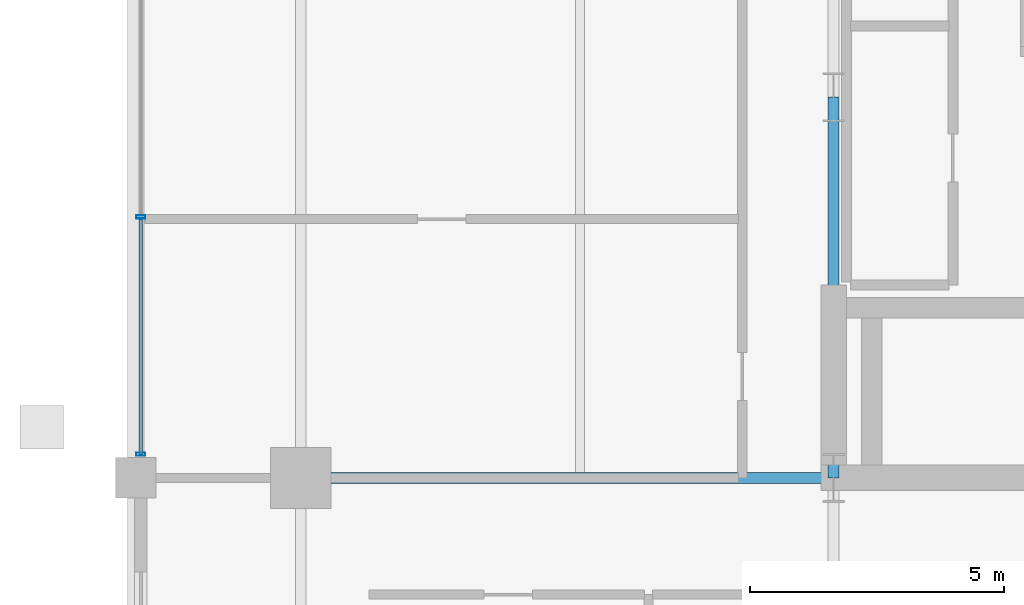
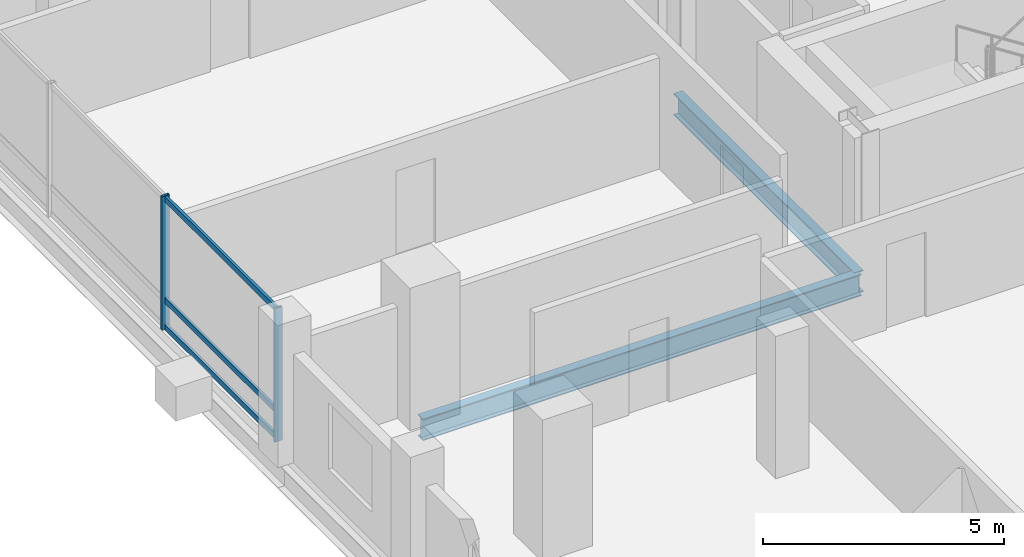
# One storey, part 4 of 20: 5 members, 2 beams, 1 element without a shape of its own.
"""IFC4 building model written with IfcOpenShell, lengths in metres."""

from ifc_helpers import new_model, si_unit, direction, frame, origin, origin_2d, place, context, subcontext, project, spatial, hollow_rectangle, i_section, extrude, material, layer, layer_set, material_profile, profile_set, type_object, element, aggregate, save


model = new_model("IFC4")

# Units and contexts
model_context = context("Model", 3, precision=1e-05, world=origin(), true_north=direction((0.0, 1.0)))
body_context = subcontext(model_context, "Body", "Model", "MODEL_VIEW")
ifc_project = project(units=[si_unit("LENGTHUNIT", "METRE"), si_unit("AREAUNIT", "SQUARE_METRE"), si_unit("VOLUMEUNIT", "CUBIC_METRE"), si_unit("PLANEANGLEUNIT", "RADIAN"), si_unit("MASSUNIT", "GRAM", prefix="KILO")], contexts=[model_context])

# Site, building, storey
site_placement = place(None, origin())
site = spatial("IfcSite", under=ifc_project, at=site_placement, CompositionType="ELEMENT")
building_placement = place(site_placement, origin())
building = spatial("IfcBuilding", under=site, at=building_placement, Name="Barlavira Tower and Art Museum", CompositionType="ELEMENT")
storey_placement = place(building_placement, frame((0.0, 0.0, 147.60009765625)))
storey = spatial("IfcBuildingStorey", under=building, at=storey_placement, Name="L37", CompositionType="ELEMENT", Elevation=147.60009765625)

# Curtain wall, members
ifc_material_1 = material(Name="Low-iron coastal laminated glass", Category="glass")
ifc_layer = layer(ifc_material_1, 0.18994140625, Name="Low-iron coastal laminated glass")
ifc_layer_set = layer_set([ifc_layer], Name="Low-iron coastal laminated glass")
curtain_wall_type = type_object("IfcCurtainWallType", Name="Pale-Metal Unitised Curtain Wall Zone 2", PredefinedType="NOTDEFINED", material=ifc_layer_set)
curtain_wall_placement = place(storey_placement, origin())
curtain_wall = element("IfcCurtainWall", 1, at=curtain_wall_placement, inside=storey, type_object=curtain_wall_type, Name="L37 Curtain Wall CW2-L37-W-B3", PredefinedType="NOTDEFINED")
ifc_material_2 = material(Name="Pale anodised aluminium", Category="aluminium")
ifc_material_profile_1 = material_profile(ifc_material_2, hollow_rectangle(XDim=0.06494140625, YDim=0.179931640625, WallThickness=0.00390625, at=origin_2d()), Name="ALU-MULL 65x180x4")
ifc_profile_set_1 = profile_set([ifc_material_profile_1], Name="Pale anodised aluminium")
member_type_1 = type_object("IfcMemberType", Name="Curtain Wall Pale-Metal Mullion 65x180", PredefinedType="MULLION", material=ifc_profile_set_1)
member_1_placement = place(storey_placement, frame((-20.14990234375, -2.360107421875, 0.0), z_axis=(0.0, 0.0, 1.0), x_axis=(0.0, -1.0, 0.0)))
member_1 = element("IfcMember", 2, at=member_1_placement, type_object=member_type_1, Name="CW2-L37-W-B3 Mullion 2", PredefinedType="MULLION", context=body_context, shape_type="SweptSolid", body=[
    extrude(hollow_rectangle(XDim=0.06494140625, YDim=0.179931640625, WallThickness=0.00390625, at=origin_2d()), origin(), (0.0, 0.0, 1.0), 3.3798828125),
])
member_2_placement = place(storey_placement, frame((-20.14990234375, -7.034912109375, 0.0), z_axis=(0.0, 0.0, 1.0), x_axis=(0.0, -1.0, 0.0)))
member_2 = element("IfcMember", 3, at=member_2_placement, type_object=member_type_1, Name="CW2-L37-W-B3 Mullion 3", PredefinedType="MULLION", context=body_context, shape_type="SweptSolid", body=[
    extrude(hollow_rectangle(XDim=0.06494140625, YDim=0.179931640625, WallThickness=0.00390625, at=origin_2d()), origin(), (0.0, 0.0, 1.0), 3.3798828125),
])
ifc_material_profile_2 = material_profile(ifc_material_2, hollow_rectangle(XDim=0.06494140625, YDim=0.139892578125, WallThickness=0.00390625, at=origin_2d()), Name="ALU-TRAN 65x140x4")
ifc_profile_set_2 = profile_set([ifc_material_profile_2], Name="Pale anodised aluminium")
member_type_2 = type_object("IfcMemberType", Name="Curtain Wall Pale-Metal Transom 65x140", PredefinedType="USERDEFINED", material=ifc_profile_set_2)
member_3_placement = place(storey_placement, frame((-20.14990234375, -2.405029296875, 0.06982421875), z_axis=(0.0, -1.0, 0.0), x_axis=(1.0, 0.0, 0.0)))
member_3 = element("IfcMember", 4, at=member_3_placement, type_object=member_type_2, Name="CW2-L37-W-B3 Transom 2.1", ObjectType="TRANSOM", PredefinedType="USERDEFINED", context=body_context, shape_type="SweptSolid", body=[
    extrude(hollow_rectangle(XDim=0.06494140625, YDim=0.139892578125, WallThickness=0.00390625, at=origin_2d()), origin(), (0.0, 0.0, 1.0), 4.6298828125),
])
member_4_placement = place(storey_placement, frame((-20.14990234375, -2.405029296875, 0.743896484375), z_axis=(0.0, -1.0, 0.0), x_axis=(1.0, 0.0, 0.0)))
member_4 = element("IfcMember", 5, at=member_4_placement, type_object=member_type_2, Name="CW2-L37-W-B3 Transom 2.2", ObjectType="TRANSOM", PredefinedType="USERDEFINED", context=body_context, shape_type="SweptSolid", body=[
    extrude(hollow_rectangle(XDim=0.06494140625, YDim=0.139892578125, WallThickness=0.00390625, at=origin_2d()), origin(), (0.0, 0.0, 1.0), 4.6298828125),
])
member_5_placement = place(storey_placement, frame((-20.14990234375, -2.405029296875, 3.309814453125), z_axis=(0.0, -1.0, 0.0), x_axis=(1.0, 0.0, 0.0)))
member_5 = element("IfcMember", 6, at=member_5_placement, type_object=member_type_2, Name="CW2-L37-W-B3 Transom 2.3", ObjectType="TRANSOM", PredefinedType="USERDEFINED", context=body_context, shape_type="SweptSolid", body=[
    extrude(hollow_rectangle(XDim=0.06494140625, YDim=0.139892578125, WallThickness=0.00390625, at=origin_2d()), origin(), (0.0, 0.0, 1.0), 4.6298828125),
])
aggregate(curtain_wall, [member_1, member_2, member_3, member_4, member_5])

# Beams
ifc_material_3 = material(Name="Steel S355", Category="steel")
ifc_material_profile_3 = material_profile(ifc_material_3, i_section(OverallWidth=0.214111328125, OverallDepth=0.549072265625, WebThickness=0.0146484375, FlangeThickness=0.023681640625, at=origin_2d()), Name="W530x138.0")
ifc_profile_set_3 = profile_set([ifc_material_profile_3], Name="Steel S355")
beam_type = type_object("IfcBeamType", Name="Zone 1 Primary Floor Girder W530x138 Steel S355", PredefinedType="BEAM", material=ifc_profile_set_3)
beam_1_placement = place(storey_placement, frame((-6.5, -7.5, -0.49462890625), z_axis=(0.0, 1.0, 0.0), x_axis=(-1.0, 0.0, 0.0)))
element("IfcBeam", 7, at=beam_1_placement, inside=storey, type_object=beam_type, Name="L37 Girder C-W1", PredefinedType="BEAM", context=body_context, shape_type="SweptSolid", body=[
    extrude(i_section(OverallWidth=0.214111328125, OverallDepth=0.549072265625, WebThickness=0.0146484375, FlangeThickness=0.023681640625, at=origin_2d()), origin(), (0.0, 0.0, 1.0), 7.5),
])
beam_2_placement = place(storey_placement, frame((-17.0, -7.5, -0.49462890625), z_axis=(1.0, 0.0, 0.0), x_axis=(0.0, 1.0, 0.0)))
element("IfcBeam", 8, at=beam_2_placement, inside=storey, type_object=beam_type, Name="L37 Girder R-W1", PredefinedType="BEAM", context=body_context, shape_type="SweptSolid", body=[
    extrude(i_section(OverallWidth=0.214111328125, OverallDepth=0.549072265625, WebThickness=0.0146484375, FlangeThickness=0.023681640625, at=origin_2d()), origin(), (0.0, 0.0, 1.0), 10.5),
])

save(model, "model.ifc")
